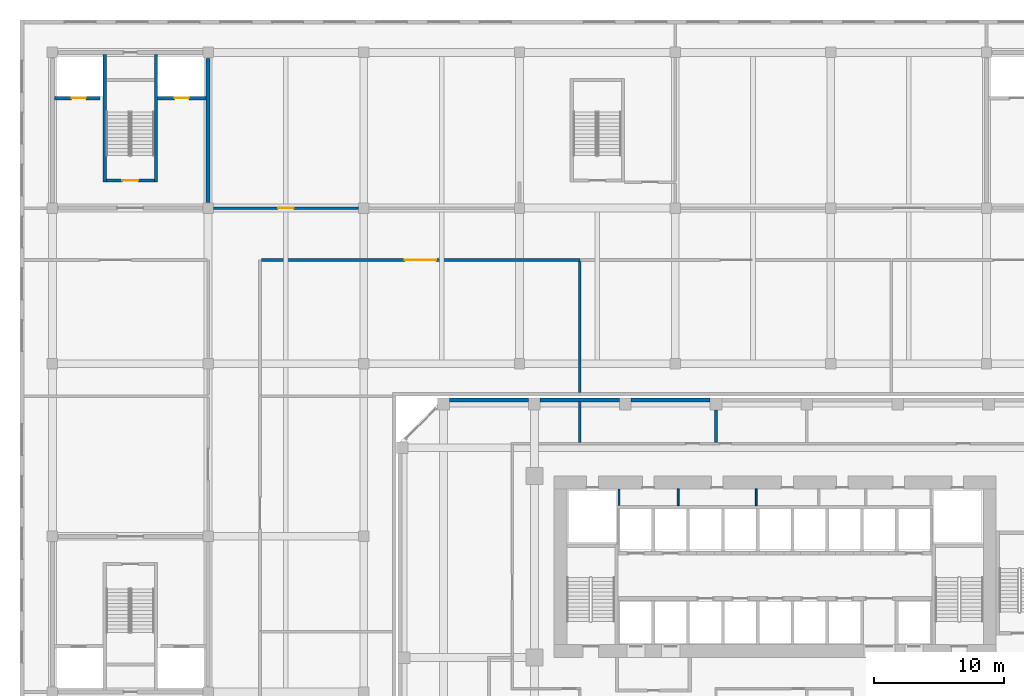
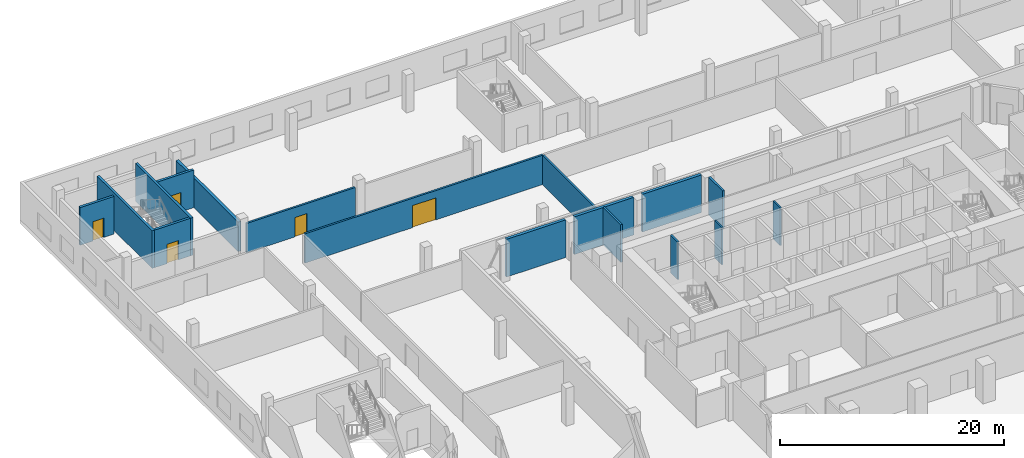
# One storey, part 25 of 38: 17 walls, 5 doors, 5 openings.
"""IFC4 building model written with IfcOpenShell, lengths in metres."""

import ifcopenshell
import ifcopenshell.guid

model = None  # the IFC model being written
_history = None  # IfcOwnerHistory: only IFC2X3 demands one
_inside = {}  # id of a spatial element -> (the spatial element, [elements in it])
_under = {}  # id of a project, library or spatial element -> (it, [spatial elements below it])
_declared = {}  # id of a project -> (the project, [libraries it declares])
_typed = {}  # id of a type object -> (the type object, [elements of that type])
_made_of = {}  # id of a material, layer set ... -> (it, [elements and type objects made of it])


def new_model(schema):
    """Start an empty IFC model of exactly this schema.

    Asked for "IFC4X3", IfcOpenShell would pick the latest addendum, in which some entities
    have other attributes; the version numbers below select the first issue.
    IFC2X3 requires an IfcOwnerHistory on every rooted entity: one is made here for all.
    """
    global model, _history
    if schema == "IFC4X3":
        model = ifcopenshell.file(schema_version=(4, 3, 0, 0))
    else:
        model = ifcopenshell.file(schema=schema)
    _inside.clear()
    _under.clear()
    _declared.clear()
    _typed.clear()
    _made_of.clear()
    _history = None
    if model.schema == "IFC2X3":
        org = make("IfcOrganization", Name="unknown")
        user = make(
            "IfcPersonAndOrganization",
            ThePerson=make("IfcPerson", FamilyName="unknown"),
            TheOrganization=org,
        )
        app = make(
            "IfcApplication",
            ApplicationDeveloper=org,
            Version="unknown",
            ApplicationFullName="unknown",
            ApplicationIdentifier="unknown",
        )
        _history = make(
            "IfcOwnerHistory",
            OwningUser=user,
            OwningApplication=app,
            ChangeAction="ADDED",
            CreationDate=0,
        )
    return model


def make(cls, **values):
    """One entity of the class cls with the attributes given. An attribute that is None is left unset."""
    return model.create_entity(
        cls, **{name: value for name, value in values.items() if value is not None}
    )


def rooted(cls, **values):
    """An entity with a GlobalId (a new one), such as an element, a storey or a relation."""
    return make(cls, GlobalId=ifcopenshell.guid.new(), OwnerHistory=_history, **values)


def si_unit(unit_type, name, prefix=None):
    """IfcSIUnit, for example si_unit("LENGTHUNIT", "METRE", prefix="MILLI")."""
    return make("IfcSIUnit", UnitType=unit_type, Prefix=prefix, Name=name)


def assignment(units):
    """IfcUnitAssignment: the units of a project."""
    return None if units is None else make("IfcUnitAssignment", Units=units)


def point(xyz):
    """IfcCartesianPoint."""
    return None if xyz is None else make("IfcCartesianPoint", Coordinates=xyz)


def direction(xyz):
    """IfcDirection."""
    return None if xyz is None else make("IfcDirection", DirectionRatios=xyz)


def frame(location, z_axis=None, x_axis=None):
    """IfcAxis2Placement3D, a coordinate frame: its origin and axes. An axis left out is left unset."""
    return make(
        "IfcAxis2Placement3D",
        Location=point(location),
        Axis=direction(z_axis),
        RefDirection=direction(x_axis),
    )


def frame_2d(location, x_axis=None):
    """IfcAxis2Placement2D, a coordinate frame in the plane: its origin and x axis."""
    return make(
        "IfcAxis2Placement2D", Location=point(location), RefDirection=direction(x_axis)
    )


def origin():
    """The frame at (0, 0, 0) with its axes left unset."""
    return frame((0.0, 0.0, 0.0))


def place(relative_to, where):
    """IfcLocalPlacement: puts the frame where relative to a parent placement (None: the world)."""
    return make(
        "IfcLocalPlacement", PlacementRelTo=relative_to, RelativePlacement=where
    )


def context(
    kind, dimensions, precision=None, world=None, true_north=None, identifier=None
):
    """IfcGeometricRepresentationContext, for example the 3D "Model" context."""
    return make(
        "IfcGeometricRepresentationContext",
        ContextIdentifier=identifier,
        ContextType=kind,
        CoordinateSpaceDimension=dimensions,
        Precision=precision,
        WorldCoordinateSystem=world,
        TrueNorth=true_north,
    )


def subcontext(parent, identifier, kind, view, scale=None):
    """IfcGeometricRepresentationSubContext, for example "Body" below "Model"."""
    return make(
        "IfcGeometricRepresentationSubContext",
        ContextIdentifier=identifier,
        ContextType=kind,
        ParentContext=parent,
        TargetScale=scale,
        TargetView=view,
    )


def project(units=None, contexts=None):
    """IfcProject with its units and contexts."""
    return rooted(
        "IfcProject",
        Name="project",
        RepresentationContexts=contexts,
        UnitsInContext=assignment(units),
    )


def spatial(cls, under=None, at=None, **own):
    """A site, building, storey or space (cls), placed at a placement, below another one or the project."""
    s = rooted(cls, ObjectPlacement=at, **own)
    if under is not None:
        _under.setdefault(under.id(), (under, []))[1].append(s)
    return s


def profile(cls, at=None, kind="AREA", **sizes):
    """A parametric profile (cls). Its sizes go by their IFC names, for example OverallWidth=200.0."""
    return make(cls, ProfileType=kind, Position=at, **sizes)


def rectangle(**sizes):
    """IfcRectangleProfileDef."""
    return profile("IfcRectangleProfileDef", **sizes)


def extrude(swept, where, along, depth):
    """IfcExtrudedAreaSolid: the profile swept, set in the frame where, extruded along a direction by depth."""
    return make(
        "IfcExtrudedAreaSolid",
        SweptArea=swept,
        Position=where,
        ExtrudedDirection=direction(along),
        Depth=depth,
    )


def shape(context_of_items, identifier, shape_type, items):
    """IfcShapeRepresentation: the items that make up one representation, for example the "Body"."""
    return make(
        "IfcShapeRepresentation",
        ContextOfItems=context_of_items,
        RepresentationIdentifier=identifier,
        RepresentationType=shape_type,
        Items=items,
    )


def source(mapping_origin, context_of_items, identifier, shape_type, items):
    """IfcRepresentationMap: a shape defined once, which mapped items show again and again."""
    return make(
        "IfcRepresentationMap",
        MappingOrigin=mapping_origin,
        MappedRepresentation=shape(context_of_items, identifier, shape_type, items),
    )


def transform(
    local_origin,
    x_axis=None,
    y_axis=None,
    z_axis=None,
    scale=None,
    scale2=None,
    scale3=None,
    uniform=True,
):
    """IfcCartesianTransformationOperator3D, or its non-uniform kind. x_axis, y_axis, z_axis: its Axis1, 2, 3."""
    if uniform:
        return make(
            "IfcCartesianTransformationOperator3D",
            Axis1=direction(x_axis),
            Axis2=direction(y_axis),
            LocalOrigin=point(local_origin),
            Scale=scale,
            Axis3=direction(z_axis),
        )
    return make(
        "IfcCartesianTransformationOperator3DnonUniform",
        Axis1=direction(x_axis),
        Axis2=direction(y_axis),
        LocalOrigin=point(local_origin),
        Scale=scale,
        Axis3=direction(z_axis),
        Scale2=scale2,
        Scale3=scale3,
    )


def mapped(mapping_source, mapping_target):
    """IfcMappedItem: shows the shape of a source again, moved by a transform."""
    return make(
        "IfcMappedItem", MappingSource=mapping_source, MappingTarget=mapping_target
    )


def material(Name=None, Category=None):
    """IfcMaterial."""
    return make("IfcMaterial", Name=Name, Category=Category)


def layer(
    of_material, thickness, ventilated=None, Name=None, Category=None, Priority=None
):
    """IfcMaterialLayer: one layer of a wall or slab, of a material (None: an air gap)."""
    return make(
        "IfcMaterialLayer",
        Material=of_material,
        LayerThickness=thickness,
        IsVentilated=ventilated,
        Name=Name,
        Category=Category,
        Priority=Priority,
    )


def layer_set(layers, Name=None):
    """IfcMaterialLayerSet."""
    return make("IfcMaterialLayerSet", MaterialLayers=layers, LayerSetName=Name)


def made_of(thing, what):
    """Note that an element or type object is made of a material, layer set ...; save() writes the relation."""
    if what is not None:
        _made_of.setdefault(what.id(), (what, []))[1].append(thing)
    return thing


def type_object(cls, material=None, **own):
    """A type object (cls), such as IfcWallType, which elements share."""
    return made_of(rooted(cls, **own), material)


def element(
    cls,
    number,
    at=None,
    inside=None,
    cuts=None,
    type_object=None,
    material=None,
    context=None,
    identifier="Body",
    shape_type=None,
    held_by="IfcProductDefinitionShape",
    body=None,
    shapes=None,
    **own,
):
    """One element of the class cls, such as IfcWall. Its Tag is "e" and its number.

    at: its placement. inside: the storey or other place that contains it. cuts: it is an
    opening in that element (IfcRelVoidsElement). A single representation is given by context,
    identifier, shape_type and body (its items); several are given by shapes. held_by: the class
    of the entity that holds the representations. save() writes the other relations.
    """
    e = rooted(cls, Tag="e%d" % number, ObjectPlacement=at, **own)
    if body is not None:
        shapes = [shape(context, identifier, shape_type, body)]
    if shapes is not None:
        e.Representation = make(held_by, Representations=shapes)
    if inside is not None:
        _inside.setdefault(inside.id(), (inside, []))[1].append(e)
    if cuts is not None:
        rooted(
            "IfcRelVoidsElement", RelatingBuildingElement=cuts, RelatedOpeningElement=e
        )
    if type_object is not None:
        _typed.setdefault(type_object.id(), (type_object, []))[1].append(e)
    return made_of(e, material)


def fill(opening, filler):
    """IfcRelFillsElement: the door or window that sits in an opening."""
    return rooted(
        "IfcRelFillsElement",
        RelatingOpeningElement=opening,
        RelatedBuildingElement=filler,
    )


def aggregate(whole, parts):
    """IfcRelAggregates: a whole, such as a stair, and the parts it consists of."""
    return rooted("IfcRelAggregates", RelatingObject=whole, RelatedObjects=parts)


def save(model, path):
    """Write the relations noted so far, then the file.

    IfcRelAggregates (storeys below a building ...), IfcRelContainedInSpatialStructure (elements
    in a storey), IfcRelDefinesByType, IfcRelAssociatesMaterial and IfcRelDeclares: one each for
    every whole, place, type object, material and project.
    """
    for whole, parts in _under.values():
        aggregate(whole, parts)
    for where, things in _inside.values():
        rooted(
            "IfcRelContainedInSpatialStructure",
            RelatedElements=things,
            RelatingStructure=where,
        )
    for kind, things in _typed.values():
        rooted("IfcRelDefinesByType", RelatedObjects=things, RelatingType=kind)
    for what, things in _made_of.values():
        rooted("IfcRelAssociatesMaterial", RelatedObjects=things, RelatingMaterial=what)
    for by, libraries in _declared.values():
        rooted("IfcRelDeclares", RelatingContext=by, RelatedDefinitions=libraries)
    model.write(path)


model = new_model("IFC4")

# Units and contexts
model_context = context("Model", 3, precision=1e-05, world=origin(), true_north=direction((0.0, 1.0)))
body_context = subcontext(model_context, "Body", "Model", "MODEL_VIEW")
ifc_project = project(units=[si_unit("LENGTHUNIT", "METRE"), si_unit("AREAUNIT", "SQUARE_METRE"), si_unit("VOLUMEUNIT", "CUBIC_METRE"), si_unit("PLANEANGLEUNIT", "RADIAN"), si_unit("MASSUNIT", "GRAM", prefix="KILO")], contexts=[model_context])

# Site, building, storey
site_placement = place(None, origin())
site = spatial("IfcSite", under=ifc_project, at=site_placement, CompositionType="ELEMENT")
building_placement = place(site_placement, origin())
building = spatial("IfcBuilding", under=site, at=building_placement, Name="Kilnfold Tower and Market Hall", CompositionType="ELEMENT")
storey_placement = place(building_placement, frame((0.0, 0.0, 9.0)))
storey = spatial("IfcBuildingStorey", under=building, at=storey_placement, Name="L01", CompositionType="ELEMENT", Elevation=9.0)

# Walls
ifc_material_1 = material(Name="Gypsum board on steel studs", Category="steel")
ifc_layer_1 = layer(ifc_material_1, 0.199951171875)
ifc_layer_set_1 = layer_set([ifc_layer_1], Name="Gypsum board on steel studs")
wall_type_1 = type_object("IfcWallType", Name="WALL PARTY 200", PredefinedType="PARTITIONING", material=ifc_layer_set_1)
wall_1_placement = place(storey_placement, frame((-14.0, 24.575927734375, 0.0), z_axis=(0.0, 0.0, 1.0), x_axis=(0.0, 1.0, 0.0)))
element("IfcWall", 1, at=wall_1_placement, inside=storey, type_object=wall_type_1, Name="Partition LY02.48", PredefinedType="PARTITIONING", context=body_context, shape_type="SweptSolid", body=[
    extrude(rectangle(XDim=3.174072265625, YDim=0.199951171875, at=frame_2d((1.5869140625, 0.0))), origin(), (0.0, 0.0, 1.0), 4.10009765625),
])
wall_2_placement = place(storey_placement, frame((-3.5, 24.575927734375, 0.0), z_axis=(0.0, 0.0, 1.0), x_axis=(0.0, 1.0, 0.0)))
element("IfcWall", 2, at=wall_2_placement, inside=storey, type_object=wall_type_1, Name="Partition LY02.52", PredefinedType="PARTITIONING", context=body_context, shape_type="SweptSolid", body=[
    extrude(rectangle(XDim=2.524169921875, YDim=0.199951171875, at=frame_2d((1.26220703125, 0.0))), origin(), (0.0, 0.0, 1.0), 4.10009765625),
])

# Wall, opening, door
ifc_material_2 = material(Name="Concrete C50/60", Category="concrete")
ifc_layer_2 = layer(ifc_material_2, 0.25)
ifc_layer_set_2 = layer_set([ifc_layer_2], Name="Concrete C50/60")
wall_type_2 = type_object("IfcWallType", Name="HALL CORE WALL 250", PredefinedType="SHEAR", material=ifc_layer_set_2)
shared_shape_1 = source(origin(), body_context, "Body", "SweptSolid", [
    extrude(rectangle(XDim=3.699951171875, YDim=0.25, at=frame_2d((1.85009765625, 0.0))), origin(), (0.0, 0.0, 1.0), 4.10009765625),
])
wall_3_placement = place(storey_placement, frame((-46.800048828125, 44.77490234375, 0.0), z_axis=(0.0, 0.0, 1.0), x_axis=(-1.0, 0.0, 0.0)))
wall_3 = element("IfcWall", 3, at=wall_3_placement, inside=storey, type_object=wall_type_2, Name="Core wall MH2", PredefinedType="SHEAR", context=body_context, shape_type="MappedRepresentation", body=[
    mapped(shared_shape_1, transform((0.0, 0.0, 0.0))),
])
opening_1_placement = place(wall_3_placement, frame((1.25, 0.0, 0.0)))
opening_1 = element("IfcOpeningElement", 4, at=opening_1_placement, cuts=wall_3, Name="Opening MD9-60", PredefinedType="OPENING", context=body_context, shape_type="SweptSolid", body=[
    extrude(rectangle(XDim=1.199951171875, YDim=2.10009765625, at=frame_2d((0.60009765625, 1.050048828125))), frame((0.0, 0.135009765625, 0.0), z_axis=(0.0, -1.0, 0.0), x_axis=(1.0, 0.0, 0.0)), (0.0, 0.0, 1.0), 0.27001953125),
])
ifc_material_3 = material(Name="Steel S355", Category="steel")
door_type_1 = type_object("IfcDoorType", Name="HALL DOOR STAIR 1200X2100 FD60", OperationType="NOTDEFINED", PredefinedType="DOOR", material=ifc_material_3)
door_1_placement = place(opening_1_placement, origin())
door_1 = element("IfcDoor", 5, at=door_1_placement, inside=storey, type_object=door_type_1, Name="Door MD9-60", OperationType="DOUBLE_DOOR_SINGLE_SWING", OverallHeight=2.10009765625, OverallWidth=1.199951171875, PredefinedType="DOOR", context=body_context, shape_type="SweptSolid", body=[
    extrude(rectangle(XDim=1.199951171875, YDim=2.10009765625, at=frame_2d((0.60009765625, 1.050048828125))), frame((0.0, 0.02490234375, 0.0), z_axis=(0.0, -1.0, 0.0), x_axis=(1.0, 0.0, 0.0)), (0.0, 0.0, 1.0), 0.050048828125),
])
fill(opening_1, door_1)

# Walls
ifc_material_4 = material(Name="Concrete C50/60", Category="concrete")
ifc_layer_3 = layer(ifc_material_4, 0.300048828125)
ifc_layer_set_3 = layer_set([ifc_layer_3], Name="Concrete C50/60")
wall_type_3 = type_object("IfcWallType", Name="HALL CORE WALL 300", PredefinedType="SHEAR", material=ifc_layer_set_3)
shared_shape_2 = source(origin(), body_context, "Body", "SweptSolid", [
    extrude(rectangle(XDim=11.099853515625, YDim=0.300048828125, at=frame_2d((5.5498046875, 0.0))), origin(), (0.0, 0.0, 1.0), 3.199951171875),
])
wall_4_placement = place(storey_placement, frame((-42.64990234375, 54.199951171875, 0.0), z_axis=(0.0, 0.0, 1.0), x_axis=(0.0, -1.0, 0.0)))
element("IfcWall", 6, at=wall_4_placement, inside=storey, type_object=wall_type_3, Name="Core wall MH2", PredefinedType="SHEAR", context=body_context, shape_type="MappedRepresentation", body=[
    mapped(shared_shape_2, transform((0.0, 0.0, 0.0))),
])
shared_shape_3 = source(origin(), body_context, "Body", "SweptSolid", [
    extrude(rectangle(XDim=9.85009765625, YDim=0.25, at=frame_2d((4.925048828125, 0.0))), origin(), (0.0, 0.0, 1.0), 4.10009765625),
])
for number, where, z_axis, x_axis, name in (
    (7, (-46.675048828125, 54.5, 0.0), (0.0, 0.0, 1.0), (0.0, -1.0, 0.0), "Core wall MH2"),
    (8, (-50.625, 54.5, 0.0), (0.0, 0.0, 1.0), (0.0, -1.0, 0.0), "Core wall MH2"),
):
    element("IfcWall", number, at=place(storey_placement, frame(where, z_axis=z_axis, x_axis=x_axis)), inside=storey, type_object=wall_type_2, Name=name, PredefinedType="SHEAR", context=body_context, shape_type="MappedRepresentation", body=[
        mapped(shared_shape_3, transform((0.0, 0.0, 0.0))),
    ])

# Wall, opening, door
shared_shape_4 = source(origin(), body_context, "Body", "SweptSolid", [
    extrude(rectangle(XDim=3.75, YDim=0.25, at=frame_2d((1.875, 0.0))), origin(), (0.0, 0.0, 1.0), 4.10009765625),
])
wall_5_placement = place(storey_placement, frame((-42.800048828125, 51.125, 0.0), z_axis=(0.0, 0.0, 1.0), x_axis=(-1.0, 0.0, 0.0)))
wall_5 = element("IfcWall", 9, at=wall_5_placement, inside=storey, type_object=wall_type_2, Name="Core wall MH2", PredefinedType="SHEAR", context=body_context, shape_type="MappedRepresentation", body=[
    mapped(shared_shape_4, transform((0.0, 0.0, 0.0))),
])
opening_2_placement = place(wall_5_placement, frame((1.324951171875, 0.0, 0.0)))
opening_2 = element("IfcOpeningElement", 10, at=opening_2_placement, cuts=wall_5, Name="Opening LD", PredefinedType="OPENING", context=body_context, shape_type="SweptSolid", body=[
    extrude(rectangle(XDim=1.10009765625, YDim=2.10009765625, at=frame_2d((0.550048828125, 1.050048828125))), frame((0.0, 0.135009765625, 0.0), z_axis=(0.0, -1.0, 0.0), x_axis=(1.0, 0.0, 0.0)), (0.0, 0.0, 1.0), 0.27001953125),
])
ifc_material_5 = material(Name="Steel S355", Category="steel")
door_type_2 = type_object("IfcDoorType", Name="HALL LANDING DOOR 1100X2100 FD60", OperationType="NOTDEFINED", PredefinedType="DOOR", material=ifc_material_5)
door_2_placement = place(opening_2_placement, origin())
door_2 = element("IfcDoor", 11, at=door_2_placement, inside=storey, type_object=door_type_2, Name="Door LD", OperationType="SLIDING_TO_LEFT", OverallHeight=2.10009765625, OverallWidth=1.10009765625, PredefinedType="DOOR", context=body_context, shape_type="SweptSolid", body=[
    extrude(rectangle(XDim=1.10009765625, YDim=2.10009765625, at=frame_2d((0.550048828125, 1.050048828125))), frame((0.0, 0.02490234375, 0.0), z_axis=(0.0, -1.0, 0.0), x_axis=(1.0, 0.0, 0.0)), (0.0, 0.0, 1.0), 0.050048828125),
])
fill(opening_2, door_2)

shared_shape_5 = source(origin(), body_context, "Body", "SweptSolid", [
    extrude(rectangle(XDim=3.5, YDim=0.25, at=frame_2d((1.75, 0.0))), origin(), (0.0, 0.0, 1.0), 4.10009765625),
])
wall_6_placement = place(storey_placement, frame((-51.0, 51.125, 0.0), z_axis=(0.0, 0.0, 1.0), x_axis=(-1.0, 0.0, 0.0)))
wall_6 = element("IfcWall", 12, at=wall_6_placement, inside=storey, type_object=wall_type_2, Name="Core wall MH2", PredefinedType="SHEAR", context=body_context, shape_type="MappedRepresentation", body=[
    mapped(shared_shape_5, transform((0.0, 0.0, 0.0))),
])
opening_3_placement = place(wall_6_placement, frame((1.074951171875, 0.0, 0.0)))
opening_3 = element("IfcOpeningElement", 13, at=opening_3_placement, cuts=wall_6, Name="Opening LD", PredefinedType="OPENING", context=body_context, shape_type="SweptSolid", body=[
    extrude(rectangle(XDim=1.10009765625, YDim=2.10009765625, at=frame_2d((0.550048828125, 1.050048828125))), frame((0.0, 0.135009765625, 0.0), z_axis=(0.0, -1.0, 0.0), x_axis=(1.0, 0.0, 0.0)), (0.0, 0.0, 1.0), 0.27001953125),
])
door_3_placement = place(opening_3_placement, origin())
door_3 = element("IfcDoor", 14, at=door_3_placement, inside=storey, type_object=door_type_2, Name="Door LD", OperationType="SLIDING_TO_LEFT", OverallHeight=2.10009765625, OverallWidth=1.10009765625, PredefinedType="DOOR", context=body_context, shape_type="SweptSolid", body=[
    extrude(rectangle(XDim=1.10009765625, YDim=2.10009765625, at=frame_2d((0.550048828125, 1.050048828125))), frame((0.0, 0.02490234375, 0.0), z_axis=(0.0, -1.0, 0.0), x_axis=(1.0, 0.0, 0.0)), (0.0, 0.0, 1.0), 0.050048828125),
])
fill(opening_3, door_3)

# Walls
ifc_material_6 = material(Name="Precast concrete C50/60", Category="concrete")
ifc_layer_4 = layer(ifc_material_6, 0.300048828125)
ifc_layer_set_4 = layer_set([ifc_layer_4], Name="Precast concrete C50/60")
wall_type_4 = type_object("IfcWallType", Name="PRECAST WALL 300", PredefinedType="SOLIDWALL", material=ifc_layer_set_4)
shared_shape_6 = source(origin(), body_context, "Body", "SweptSolid", [
    extrude(rectangle(XDim=6.10009765625, YDim=0.300048828125, at=frame_2d((3.050048828125, 0.0))), origin(), (0.0, 0.0, 1.0), 4.10009765625),
])
for number, where, z_axis, x_axis, name in (
    (15, (-3.949951171875, 27.85009765625, 0.0), (0.0, 0.0, 1.0), (-1.0, 0.0, 0.0), "Party wall L01 N"),
    (16, (-10.949951171875, 27.85009765625, 0.0), (0.0, 0.0, 1.0), (-1.0, 0.0, 0.0), "Party wall L01 N"),
    (17, (-17.949951171875, 27.85009765625, 0.0), (0.0, 0.0, 1.0), (-1.0, 0.0, 0.0), "Party wall L01 N"),
):
    element("IfcWall", number, at=place(storey_placement, frame(where, z_axis=z_axis, x_axis=x_axis)), inside=storey, type_object=wall_type_4, Name=name, PredefinedType="SOLIDWALL", context=body_context, shape_type="MappedRepresentation", body=[
        mapped(shared_shape_6, transform((0.0, 0.0, 0.0))),
    ])
ifc_material_7 = material(Name="Gypsum shaft wall system")
ifc_layer_5 = layer(ifc_material_7, 0.1650390625)
ifc_layer_set_5 = layer_set([ifc_layer_5], Name="Gypsum shaft wall system")
wall_type_5 = type_object("IfcWallType", Name="SHAFT WALL 165", PredefinedType="PARTITIONING", material=ifc_layer_set_5)
shared_shape_7 = source(origin(), body_context, "Body", "SweptSolid", [
    extrude(rectangle(XDim=1.27490234375, YDim=0.1650390625, at=frame_2d((0.637451171875, 0.0))), origin(), (0.0, 0.0, 1.0), 4.10009765625),
])
wall_7_placement = place(storey_placement, frame((-10.967529296875, 19.72509765625, 0.0), z_axis=(0.0, 0.0, 1.0), x_axis=(0.0, 1.0, 0.0)))
element("IfcWall", 18, at=wall_7_placement, inside=storey, type_object=wall_type_5, Name="Lift shaft wall", PredefinedType="PARTITIONING", context=body_context, shape_type="MappedRepresentation", body=[
    mapped(shared_shape_7, transform((0.0, 0.0, 0.0))),
])
ifc_material_8 = material(Name="Gypsum shaft wall system")
ifc_layer_6 = layer(ifc_material_8, 0.14990234375)
ifc_layer_set_6 = layer_set([ifc_layer_6], Name="Gypsum shaft wall system")
wall_type_6 = type_object("IfcWallType", Name="ROOM WALL 150", PredefinedType="PARTITIONING", material=ifc_layer_set_6)
shared_shape_8 = source(origin(), body_context, "Body", "SweptSolid", [
    extrude(rectangle(XDim=1.27490234375, YDim=0.14990234375, at=frame_2d((0.637451171875, 0.0))), origin(), (0.0, 0.0, 1.0), 4.10009765625),
])
for number, where, z_axis, x_axis, name in (
    (19, (-6.42724609375, 19.72509765625, 0.0), (0.0, 0.0, 1.0), (0.0, 1.0, 0.0), "Core room wall"),
    (20, (-0.397216796875, 19.72509765625, 0.0), (0.0, 0.0, 1.0), (0.0, 1.0, 0.0), "Core room wall"),
):
    element("IfcWall", number, at=place(storey_placement, frame(where, z_axis=z_axis, x_axis=x_axis)), inside=storey, type_object=wall_type_6, Name=name, PredefinedType="PARTITIONING", context=body_context, shape_type="MappedRepresentation", body=[
        mapped(shared_shape_8, transform((0.0, 0.0, 0.0))),
    ])

# Wall, opening, door
ifc_material_9 = material(Name="Concrete blockwork", Category="masonry")
ifc_layer_7 = layer(ifc_material_9, 0.199951171875)
ifc_layer_set_7 = layer_set([ifc_layer_7], Name="Concrete blockwork")
wall_type_7 = type_object("IfcWallType", Name="HALL PARTITION 200 EI 120", PredefinedType="PARTITIONING", material=ifc_layer_set_7)
shared_shape_9 = source(origin(), body_context, "Body", "SweptSolid", [
    extrude(rectangle(XDim=11.199951171875, YDim=0.199951171875, at=frame_2d((5.60009765625, 0.0))), origin(), (0.0, 0.0, 1.0), 3.199951171875),
])
wall_8_placement = place(storey_placement, frame((-42.25, 42.64990234375, 0.0), z_axis=(0.0, 0.0, 1.0), x_axis=(1.0, 0.0, 0.0)))
wall_8 = element("IfcWall", 21, at=wall_8_placement, inside=storey, type_object=wall_type_7, Name="Partition W-MH-L01.15", PredefinedType="PARTITIONING", context=body_context, shape_type="MappedRepresentation", body=[
    mapped(shared_shape_9, transform((0.0, 0.0, 0.0))),
])
opening_4_placement = place(wall_8_placement, frame((5.0, 0.0, 0.0)))
opening_4 = element("IfcOpeningElement", 22, at=opening_4_placement, cuts=wall_8, Name="Opening MD3-120", PredefinedType="OPENING", context=body_context, shape_type="SweptSolid", body=[
    extrude(rectangle(XDim=1.199951171875, YDim=2.10009765625, at=frame_2d((0.60009765625, 1.050048828125))), frame((0.0, 0.10986328125, 0.0), z_axis=(0.0, -1.0, 0.0), x_axis=(1.0, 0.0, 0.0)), (0.0, 0.0, 1.0), 0.219970703125),
])
ifc_material_10 = material(Name="Steel S355", Category="steel")
door_type_3 = type_object("IfcDoorType", Name="HALL DOOR SERVICE 1200X2100 FD120", OperationType="NOTDEFINED", PredefinedType="DOOR", material=ifc_material_10)
door_4_placement = place(opening_4_placement, origin())
door_4 = element("IfcDoor", 23, at=door_4_placement, inside=storey, type_object=door_type_3, Name="Door MD3-120", OperationType="SINGLE_SWING_RIGHT", OverallHeight=2.10009765625, OverallWidth=1.199951171875, PredefinedType="DOOR", context=body_context, shape_type="SweptSolid", body=[
    extrude(rectangle(XDim=1.199951171875, YDim=2.10009765625, at=frame_2d((0.60009765625, 1.050048828125))), frame((0.0, 0.02490234375, 0.0), z_axis=(0.0, -1.0, 0.0), x_axis=(1.0, 0.0, 0.0)), (0.0, 0.0, 1.0), 0.050048828125),
])
fill(opening_4, door_4)

# Wall
ifc_material_11 = material(Name="Concrete blockwork", Category="masonry")
ifc_layer_8 = layer(ifc_material_11, 0.199951171875)
ifc_layer_set_8 = layer_set([ifc_layer_8], Name="Concrete blockwork")
wall_type_8 = type_object("IfcWallType", Name="HALL PARTITION 200 EI 60", PredefinedType="PARTITIONING", material=ifc_layer_set_8)
shared_shape_10 = source(origin(), body_context, "Body", "SweptSolid", [
    extrude(rectangle(XDim=10.10009765625, YDim=0.199951171875, at=frame_2d((5.050048828125, 0.0))), origin(), (0.0, 0.0, 1.0), 3.199951171875),
])
wall_9_placement = place(storey_placement, frame((-14.0, 38.550048828125, 0.0), z_axis=(0.0, 0.0, 1.0), x_axis=(0.0, -1.0, 0.0)))
element("IfcWall", 24, at=wall_9_placement, inside=storey, type_object=wall_type_8, Name="Partition W-MH-L01.35", PredefinedType="PARTITIONING", context=body_context, shape_type="MappedRepresentation", body=[
    mapped(shared_shape_10, transform((0.0, 0.0, 0.0))),
])

# Wall, opening, door
shared_shape_11 = source(origin(), body_context, "Body", "SweptSolid", [
    extrude(rectangle(XDim=24.550048828125, YDim=0.199951171875, at=frame_2d((12.27490234375, 0.0))), origin(), (0.0, 0.0, 1.0), 3.199951171875),
])
wall_10_placement = place(storey_placement, frame((-14.0, 38.64990234375, 0.0), z_axis=(0.0, 0.0, 1.0), x_axis=(-1.0, 0.0, 0.0)))
wall_10 = element("IfcWall", 25, at=wall_10_placement, inside=storey, type_object=wall_type_8, Name="Partition W-MH-L01.34", PredefinedType="PARTITIONING", context=body_context, shape_type="MappedRepresentation", body=[
    mapped(shared_shape_11, transform((0.0, 0.0, 0.0))),
])
opening_5_placement = place(wall_10_placement, frame((11.074951171875, 0.0, 0.0)))
opening_5 = element("IfcOpeningElement", 26, at=opening_5_placement, cuts=wall_10, Name="Opening MD7-60", PredefinedType="OPENING", context=body_context, shape_type="SweptSolid", body=[
    extrude(rectangle(XDim=2.39990234375, YDim=2.39990234375, at=frame_2d((1.199951171875, 1.199951171875))), frame((0.0, 0.10986328125, 0.0), z_axis=(0.0, -1.0, 0.0), x_axis=(1.0, 0.0, 0.0)), (0.0, 0.0, 1.0), 0.219970703125),
])
ifc_material_12 = material(Name="Aluminium glazing", Category="aluminium")
door_type_4 = type_object("IfcDoorType", Name="HALL DOOR HALL 2400X2400 FD60", OperationType="NOTDEFINED", PredefinedType="DOOR", material=ifc_material_12)
door_5_placement = place(opening_5_placement, origin())
door_5 = element("IfcDoor", 27, at=door_5_placement, inside=storey, type_object=door_type_4, Name="Door MD7-60", OperationType="DOUBLE_DOOR_SINGLE_SWING", OverallHeight=2.39990234375, OverallWidth=2.39990234375, PredefinedType="DOOR", context=body_context, shape_type="SweptSolid", body=[
    extrude(rectangle(XDim=2.39990234375, YDim=2.39990234375, at=frame_2d((1.199951171875, 1.199951171875))), frame((0.0, 0.02490234375, 0.0), z_axis=(0.0, -1.0, 0.0), x_axis=(1.0, 0.0, 0.0)), (0.0, 0.0, 1.0), 0.050048828125),
])
fill(opening_5, door_5)

save(model, "model.ifc")
